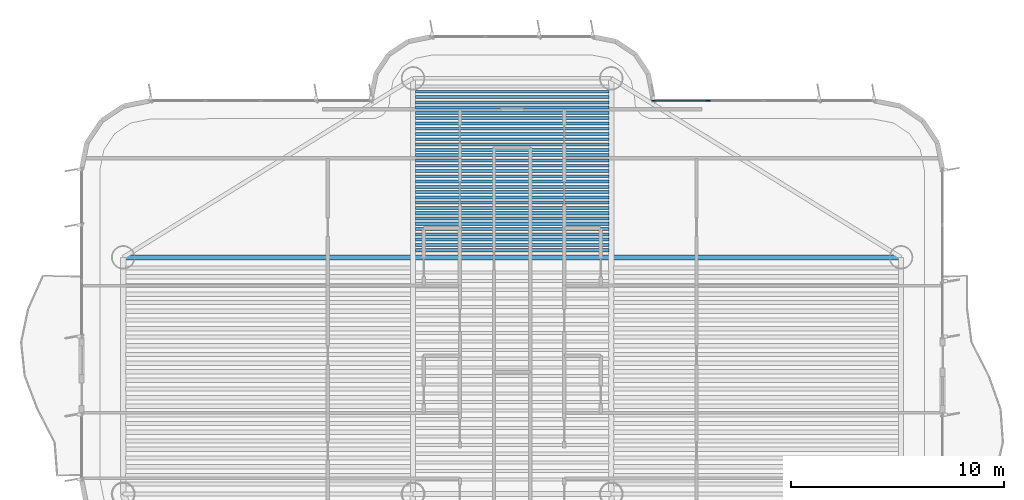
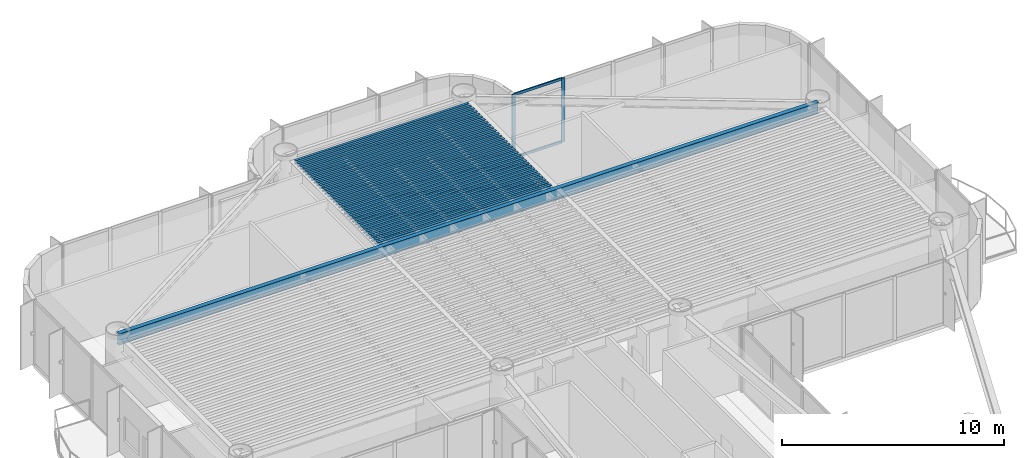
# One storey, part 6 of 15: 32 beams, 4 members, 1 element without a shape of its own.
"""IFC4 building model written with IfcOpenShell, lengths in metres."""

from ifc_helpers import new_model, si_unit, direction, frame, origin, origin_2d, place, context, subcontext, project, spatial, rectangle, i_section, extrude, source, transform, mapped, material, layer, layer_set, material_profile, profile_set, type_object, element, aggregate, save


model = new_model("IFC4")

# Units and contexts
model_context = context("Model", 3, precision=1e-05, world=origin(), true_north=direction((0.0, 1.0)))
body_context = subcontext(model_context, "Body", "Model", "MODEL_VIEW")
ifc_project = project(units=[si_unit("LENGTHUNIT", "METRE"), si_unit("AREAUNIT", "SQUARE_METRE"), si_unit("VOLUMEUNIT", "CUBIC_METRE"), si_unit("PLANEANGLEUNIT", "RADIAN"), si_unit("MASSUNIT", "GRAM", prefix="KILO")], contexts=[model_context])

# Site, building, storey
site_placement = place(None, origin())
site = spatial("IfcSite", under=ifc_project, at=site_placement, CompositionType="ELEMENT")
building_placement = place(site_placement, origin())
building = spatial("IfcBuilding", under=site, at=building_placement, Name="Brelvock Crest Care Tower", CompositionType="ELEMENT")
storey_placement = place(building_placement, frame((0.0, 0.0, 171.5400390625)))
storey = spatial("IfcBuildingStorey", under=building, at=storey_placement, Name="L43", CompositionType="ELEMENT", Elevation=171.5400390625)

# Beams
ifc_material_1 = material(Name="Steel Grade 350", Category="steel")
ifc_material_profile_1 = material_profile(ifc_material_1, i_section(OverallWidth=0.14599609375, OverallDepth=0.256103515625, WebThickness=0.00634765625, FlangeThickness=0.010986328125, FilletRadius=0.0087890625, at=origin_2d()), Name="250UB37.3")
ifc_profile_set_1 = profile_set([ifc_material_profile_1], Name="Steel Grade 350")
beam_type_1 = type_object("IfcBeamType", Name="BM-J3", PredefinedType="JOIST", material=ifc_profile_set_1)
shared_shape_1 = source(origin(), body_context, "Body", "SweptSolid", [
    extrude(i_section(OverallWidth=0.14599609375, OverallDepth=0.256103515625, WebThickness=0.00634765625, FlangeThickness=0.010986328125, FilletRadius=0.0087890625, at=origin_2d()), origin(), (0.0, 0.0, 1.0), 9.06982421875),
])
for number, where, z_axis, x_axis, name in (
    (1, (31.465087890625, 46.385986328125, 3.40185546875), (1.0, 0.0, 0.0), (0.0, 1.0, 0.0), "BM-JN-L43-1"),
    (2, (31.465087890625, 46.6337890625, 3.40185546875), (1.0, 0.0, 0.0), (0.0, 1.0, 0.0), "BM-JN-L43-2"),
    (3, (31.465087890625, 46.881591796875, 3.40185546875), (1.0, 0.0, 0.0), (0.0, 1.0, 0.0), "BM-JN-L43-3"),
    (4, (31.465087890625, 47.12939453125, 3.40185546875), (1.0, 0.0, 0.0), (0.0, 1.0, 0.0), "BM-JN-L43-4"),
    (5, (31.465087890625, 47.377197265625, 3.40185546875), (1.0, 0.0, 0.0), (0.0, 1.0, 0.0), "BM-JN-L43-5"),
    (6, (31.465087890625, 47.625, 3.40185546875), (1.0, 0.0, 0.0), (0.0, 1.0, 0.0), "BM-JN-L43-6"),
    (7, (31.465087890625, 47.872802734375, 3.40185546875), (1.0, 0.0, 0.0), (0.0, 1.0, 0.0), "BM-JN-L43-7"),
    (8, (31.465087890625, 48.12060546875, 3.40185546875), (1.0, 0.0, 0.0), (0.0, 1.0, 0.0), "BM-JN-L43-8"),
    (9, (31.465087890625, 48.368408203125, 3.40185546875), (1.0, 0.0, 0.0), (0.0, 1.0, 0.0), "BM-JN-L43-9"),
    (10, (31.465087890625, 48.6162109375, 3.40185546875), (1.0, 0.0, 0.0), (0.0, 1.0, 0.0), "BM-JN-L43-10"),
    (11, (31.465087890625, 48.864013671875, 3.40185546875), (1.0, 0.0, 0.0), (0.0, 1.0, 0.0), "BM-JN-L43-11"),
    (12, (31.465087890625, 49.11181640625, 3.40185546875), (1.0, 0.0, 0.0), (0.0, 1.0, 0.0), "BM-JN-L43-12"),
    (13, (31.465087890625, 49.359619140625, 3.40185546875), (1.0, 0.0, 0.0), (0.0, 1.0, 0.0), "BM-JN-L43-13"),
):
    element("IfcBeam", number, at=place(storey_placement, frame(where, z_axis=z_axis, x_axis=x_axis)), inside=storey, type_object=beam_type_1, Name=name, PredefinedType="JOIST", context=body_context, shape_type="MappedRepresentation", body=[
        mapped(shared_shape_1, transform((0.0, 0.0, 0.0), x_axis=(1.0, 0.0, 0.0), y_axis=(0.0, 1.0, 0.0), z_axis=(0.0, 0.0, 1.0), scale=1.0)),
    ])
ifc_material_profile_2 = material_profile(ifc_material_1, i_section(OverallWidth=0.134033203125, OverallDepth=0.20703125, WebThickness=0.00634765625, FlangeThickness=0.009521484375, FilletRadius=0.0087890625, at=origin_2d()), Name="200UB29.8")
ifc_profile_set_2 = profile_set([ifc_material_profile_2], Name="Steel Grade 350")
beam_type_2 = type_object("IfcBeamType", Name="BM-J4", PredefinedType="JOIST", material=ifc_profile_set_2)
shared_shape_2 = source(origin(), body_context, "Body", "SweptSolid", [
    extrude(i_section(OverallWidth=0.134033203125, OverallDepth=0.20703125, WebThickness=0.00634765625, FlangeThickness=0.009521484375, FilletRadius=0.0087890625, at=origin_2d()), origin(), (0.0, 0.0, 1.0), 9.06982421875),
])
for number, where, z_axis, x_axis, name in (
    (14, (31.465087890625, 49.607421875, 3.426513671875), (1.0, 0.0, 0.0), (0.0, 1.0, 0.0), "BM-JN-L43-14"),
    (15, (31.465087890625, 49.855224609375, 3.426513671875), (1.0, 0.0, 0.0), (0.0, 1.0, 0.0), "BM-JN-L43-15"),
    (16, (31.465087890625, 50.10302734375, 3.426513671875), (1.0, 0.0, 0.0), (0.0, 1.0, 0.0), "BM-JN-L43-16"),
    (17, (31.465087890625, 50.350830078125, 3.426513671875), (1.0, 0.0, 0.0), (0.0, 1.0, 0.0), "BM-JN-L43-17"),
    (18, (31.465087890625, 50.5986328125, 3.426513671875), (1.0, 0.0, 0.0), (0.0, 1.0, 0.0), "BM-JN-L43-18"),
    (19, (31.465087890625, 50.846435546875, 3.426513671875), (1.0, 0.0, 0.0), (0.0, 1.0, 0.0), "BM-JN-L43-19"),
    (20, (31.465087890625, 51.09423828125, 3.426513671875), (1.0, 0.0, 0.0), (0.0, 1.0, 0.0), "BM-JN-L43-20"),
    (21, (31.465087890625, 51.342041015625, 3.426513671875), (1.0, 0.0, 0.0), (0.0, 1.0, 0.0), "BM-JN-L43-21"),
    (22, (31.465087890625, 51.58984375, 3.426513671875), (1.0, 0.0, 0.0), (0.0, 1.0, 0.0), "BM-JN-L43-22"),
    (23, (31.465087890625, 51.837646484375, 3.426513671875), (1.0, 0.0, 0.0), (0.0, 1.0, 0.0), "BM-JN-L43-23"),
    (24, (31.465087890625, 52.08544921875, 3.426513671875), (1.0, 0.0, 0.0), (0.0, 1.0, 0.0), "BM-JN-L43-24"),
    (25, (31.465087890625, 52.333251953125, 3.426513671875), (1.0, 0.0, 0.0), (0.0, 1.0, 0.0), "BM-JN-L43-25"),
    (26, (31.465087890625, 52.5810546875, 3.426513671875), (1.0, 0.0, 0.0), (0.0, 1.0, 0.0), "BM-JN-L43-26"),
    (27, (31.465087890625, 52.828857421875, 3.426513671875), (1.0, 0.0, 0.0), (0.0, 1.0, 0.0), "BM-JN-L43-27"),
    (28, (31.465087890625, 53.07666015625, 3.426513671875), (1.0, 0.0, 0.0), (0.0, 1.0, 0.0), "BM-JN-L43-28"),
    (29, (31.465087890625, 53.324462890625, 3.426513671875), (1.0, 0.0, 0.0), (0.0, 1.0, 0.0), "BM-JN-L43-29"),
    (30, (31.465087890625, 53.572265625, 3.426513671875), (1.0, 0.0, 0.0), (0.0, 1.0, 0.0), "BM-JN-L43-30"),
    (31, (31.465087890625, 53.820068359375, 3.426513671875), (1.0, 0.0, 0.0), (0.0, 1.0, 0.0), "BM-JN-L43-31"),
):
    element("IfcBeam", number, at=place(storey_placement, frame(where, z_axis=z_axis, x_axis=x_axis)), inside=storey, type_object=beam_type_2, Name=name, PredefinedType="JOIST", context=body_context, shape_type="MappedRepresentation", body=[
        mapped(shared_shape_2, transform((0.0, 0.0, 0.0), x_axis=(1.0, 0.0, 0.0), y_axis=(0.0, 1.0, 0.0), z_axis=(0.0, 0.0, 1.0), scale=1.0)),
    ])
ifc_material_profile_3 = material_profile(ifc_material_1, i_section(OverallWidth=0.22900390625, OverallDepth=0.612060546875, WebThickness=0.011962890625, FlangeThickness=0.01953125, FilletRadius=0.013916015625, at=origin_2d()), Name="610UB125")
ifc_profile_set_3 = profile_set([ifc_material_profile_3], Name="Steel Grade 350")
beam_type_3 = type_object("IfcBeamType", Name="BM-G1", PredefinedType="BEAM", material=ifc_profile_set_3)
shared_shape_3 = source(origin(), body_context, "Body", "SweptSolid", [
    extrude(i_section(OverallWidth=0.22900390625, OverallDepth=0.612060546875, WebThickness=0.011962890625, FlangeThickness=0.01953125, FilletRadius=0.013916015625, at=origin_2d()), origin(), (0.0, 0.0, 1.0), 36.5),
])
beam_placement = place(storey_placement, frame((17.75, 46.050048828125, 3.223876953125), z_axis=(1.0, 0.0, 0.0), x_axis=(0.0, 1.0, 0.0)))
element("IfcBeam", 32, at=beam_placement, inside=storey, type_object=beam_type_3, Name="BM-TWR-L43-11", PredefinedType="BEAM", context=body_context, shape_type="MappedRepresentation", body=[
    mapped(shared_shape_3, transform((0.0, 0.0, 0.0), x_axis=(1.0, 0.0, 0.0), y_axis=(0.0, 1.0, 0.0), z_axis=(0.0, 0.0, 1.0), scale=1.0)),
])

# Curtain wall, members
ifc_material_2 = material(Name="Dark Glass Double Glazed Low-E", Category="glass")
ifc_layer = layer(ifc_material_2, 0.22509765625, Name="CWS-4")
ifc_layer_set = layer_set([ifc_layer], Name="Dark Glass Double Glazed Low-E")
curtain_wall_type = type_object("IfcCurtainWallType", Name="CWS-4", PredefinedType="NOTDEFINED", material=ifc_layer_set)
curtain_wall_placement = place(storey_placement, origin())
curtain_wall = element("IfcCurtainWall", 33, at=curtain_wall_placement, inside=storey, type_object=curtain_wall_type, Name="L43 Curtain Wall E34", PredefinedType="NOTDEFINED")
ifc_material_3 = material(Name="Aluminium 6063-T6", Category="aluminium")
ifc_material_profile_4 = material_profile(ifc_material_3, rectangle(XDim=0.06005859375, YDim=0.179931640625, at=origin_2d()), Name="ALU60x180")
ifc_profile_set_4 = profile_set([ifc_material_profile_4], Name="Aluminium 6063-T6")
member_type_1 = type_object("IfcMemberType", Name="CWM-2", PredefinedType="MULLION", material=ifc_profile_set_4)
shared_shape_4 = source(origin(), body_context, "Body", "SweptSolid", [
    extrude(rectangle(XDim=0.06005859375, YDim=0.179931640625, at=origin_2d()), origin(), (0.0, 0.0, 1.0), 3.530029296875),
])
member_1_placement = place(storey_placement, frame((42.6298828125, 53.39990234375, 0.0), z_axis=(0.0, 0.0, 1.0), x_axis=(0.0, 1.0, 0.0)))
member_1 = element("IfcMember", 34, at=member_1_placement, type_object=member_type_1, Name="CW-4 mullion 1", PredefinedType="MULLION", context=body_context, shape_type="MappedRepresentation", body=[
    mapped(shared_shape_4, transform((0.0, 0.0, 0.0), x_axis=(1.0, 0.0, 0.0), y_axis=(0.0, 1.0, 0.0), z_axis=(0.0, 0.0, 1.0), scale=1.0)),
])
member_2_placement = place(storey_placement, frame((45.199951171875, 53.39990234375, 0.0), z_axis=(0.0, 0.0, 1.0), x_axis=(0.0, 1.0, 0.0)))
member_2 = element("IfcMember", 35, at=member_2_placement, type_object=member_type_1, Name="CW-4 mullion 2", PredefinedType="MULLION", context=body_context, shape_type="MappedRepresentation", body=[
    mapped(shared_shape_4, transform((0.0, 0.0, 0.0), x_axis=(1.0, 0.0, 0.0), y_axis=(0.0, 1.0, 0.0), z_axis=(0.0, 0.0, 1.0), scale=1.0)),
])
ifc_material_profile_5 = material_profile(ifc_material_3, rectangle(XDim=0.06005859375, YDim=0.139892578125, at=origin_2d()), Name="ALU60x140")
ifc_profile_set_5 = profile_set([ifc_material_profile_5], Name="Aluminium 6063-T6")
member_type_2 = type_object("IfcMemberType", Name="CWT-2", PredefinedType="USERDEFINED", material=ifc_profile_set_5)
shared_shape_5 = source(origin(), body_context, "Body", "SweptSolid", [
    extrude(rectangle(XDim=0.06005859375, YDim=0.139892578125, at=origin_2d()), origin(), (0.0, 0.0, 1.0), 2.510009765625),
])
member_3_placement = place(storey_placement, frame((42.659912109375, 53.39990234375, 0.030029296875), z_axis=(1.0, 0.0, 0.0), x_axis=(0.0, 1.0, 0.0)))
member_3 = element("IfcMember", 36, at=member_3_placement, type_object=member_type_2, Name="CW-4 transom 1.1", ObjectType="TRANSOM", PredefinedType="USERDEFINED", context=body_context, shape_type="MappedRepresentation", body=[
    mapped(shared_shape_5, transform((0.0, 0.0, 0.0), x_axis=(1.0, 0.0, 0.0), y_axis=(0.0, 1.0, 0.0), z_axis=(0.0, 0.0, 1.0), scale=1.0)),
])
member_4_placement = place(storey_placement, frame((42.659912109375, 53.39990234375, 3.5), z_axis=(1.0, 0.0, 0.0), x_axis=(0.0, 1.0, 0.0)))
member_4 = element("IfcMember", 37, at=member_4_placement, type_object=member_type_2, Name="CW-4 transom 1.2", ObjectType="TRANSOM", PredefinedType="USERDEFINED", context=body_context, shape_type="MappedRepresentation", body=[
    mapped(shared_shape_5, transform((0.0, 0.0, 0.0), x_axis=(1.0, 0.0, 0.0), y_axis=(0.0, 1.0, 0.0), z_axis=(0.0, 0.0, 1.0), scale=1.0)),
])
aggregate(curtain_wall, [member_1, member_2, member_3, member_4])

save(model, "model.ifc")
